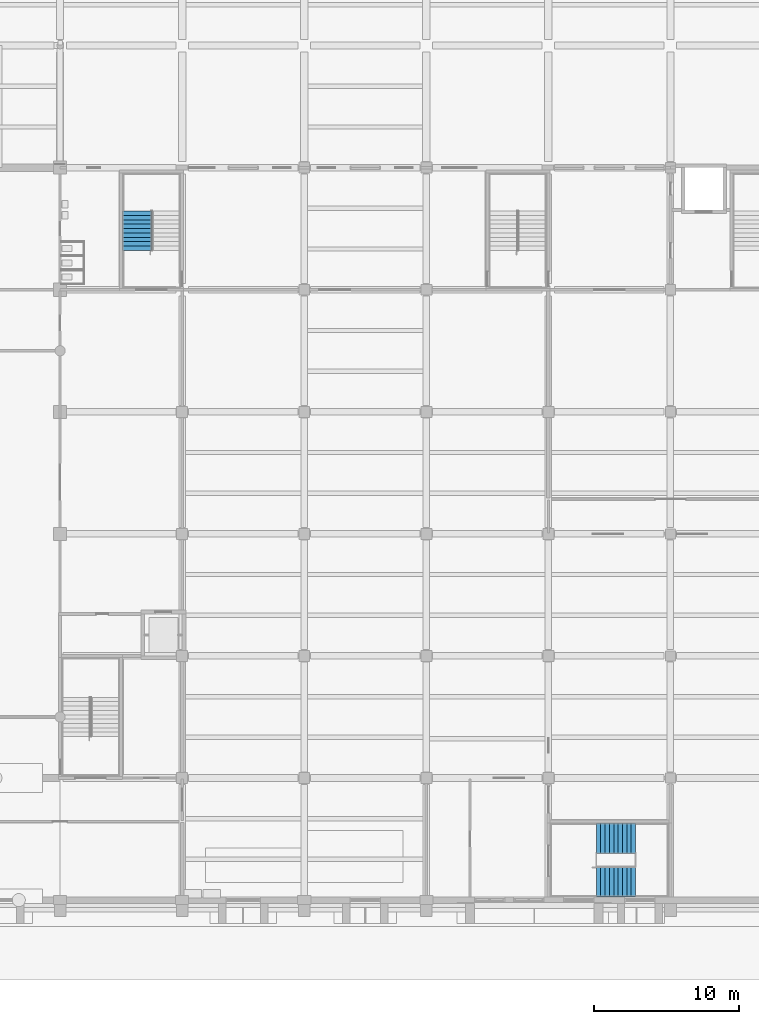
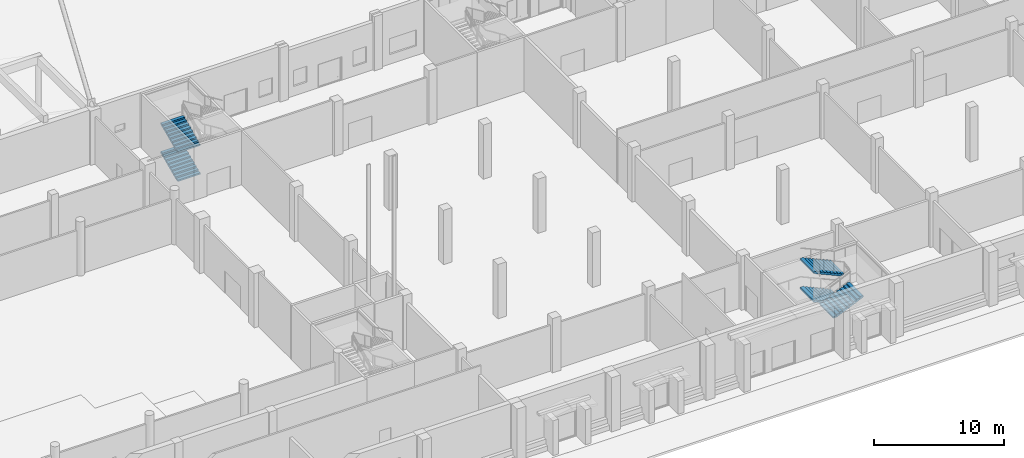
# One storey, part 54 of 74: 5 stair flights, 2 elements without a shape of their own.
"""IFC4 building model written with IfcOpenShell, lengths in metres."""

from ifc_helpers import new_model, si_unit, direction, frame, origin, place, context, subcontext, project, spatial, faceted_brep, material, type_object, element, aggregate, save


model = new_model("IFC4")

# Units and contexts
model_context = context("Model", 3, precision=1e-05, world=origin(), true_north=direction((0.0, 1.0)))
body_context = subcontext(model_context, "Body", "Model", "MODEL_VIEW")
ifc_project = project(units=[si_unit("LENGTHUNIT", "METRE"), si_unit("AREAUNIT", "SQUARE_METRE"), si_unit("VOLUMEUNIT", "CUBIC_METRE"), si_unit("PLANEANGLEUNIT", "RADIAN"), si_unit("MASSUNIT", "GRAM", prefix="KILO")], contexts=[model_context])

# Site, building, storey
site_placement = place(None, origin())
site = spatial("IfcSite", under=ifc_project, at=site_placement, CompositionType="ELEMENT")
building_placement = place(site_placement, origin())
building = spatial("IfcBuilding", under=site, at=building_placement, Name="Rulbaag Community and Learning Centre", CompositionType="ELEMENT")
storey_placement = place(building_placement, origin())
storey = spatial("IfcBuildingStorey", under=building, at=storey_placement, Name="L00", CompositionType="ELEMENT", Elevation=0.0)

# Stair, stair flights
ifc_material = material(Name="Concrete M40", Category="concrete")
stair_type_1 = type_object("IfcStairType", Name="ST-2000 STAIR 2000 WIDE", PredefinedType="HALF_TURN_STAIR", material=ifc_material)
stair_1_placement = place(storey_placement, origin())
stair_1 = element("IfcStair", 1, at=stair_1_placement, inside=storey, type_object=stair_type_1, Name="Stair ST-H6 L00", PredefinedType="HALF_TURN_STAIR")
stair_flight_type_1 = type_object("IfcStairFlightType", Name="FL-2000 FLIGHT 2000 WIDE Concrete M40", PredefinedType="STRAIGHT", material=ifc_material)
stair_flight_1_placement = place(storey_placement, frame((89.300048828125, 44.71240234375, 0.0), z_axis=(0.0, 0.0, 1.0), x_axis=(0.0, 1.0, 0.0)))
stair_flight_1 = element("IfcStairFlight", 2, at=stair_flight_1_placement, type_object=stair_flight_type_1, Name="ST-H6 flight 1", NumberOfRisers=10, NumberOfTreads=9, PredefinedType="STRAIGHT", RiserHeight=0.135, TreadLength=0.3, context=body_context, shape_type="Brep", body=[
    faceted_brep([(0.3408203125, -1.0, 0.0), (2.699951171875, -1.0, 1.0615234375), (2.699951171875, -1.0, 1.215087890625), (2.39990234375, -1.0, 1.215087890625), (2.39990234375, -1.0, 1.080078125), (2.10009765625, -1.0, 1.080078125), (2.10009765625, -1.0, 0.945068359375), (1.800048828125, -1.0, 0.945068359375), (1.800048828125, -1.0, 0.81005859375), (1.5, -1.0, 0.81005859375), (1.5, -1.0, 0.675048828125), (1.199951171875, -1.0, 0.675048828125), (1.199951171875, -1.0, 0.5400390625), (0.89990234375, -1.0, 0.5400390625), (0.89990234375, -1.0, 0.405029296875), (0.60009765625, -1.0, 0.405029296875), (0.60009765625, -1.0, 0.27001953125), (0.300048828125, -1.0, 0.27001953125), (0.300048828125, -1.0, 0.135009765625), (0.0, -1.0, 0.135009765625), (0.0, -1.0, 0.0), (0.0, 1.0, 0.0), (0.0, 1.0, 0.135009765625), (0.300048828125, 1.0, 0.135009765625), (0.300048828125, 1.0, 0.27001953125), (0.60009765625, 1.0, 0.27001953125), (0.60009765625, 1.0, 0.405029296875), (0.89990234375, 1.0, 0.405029296875), (0.89990234375, 1.0, 0.5400390625), (1.199951171875, 1.0, 0.5400390625), (1.199951171875, 1.0, 0.675048828125), (1.5, 1.0, 0.675048828125), (1.5, 1.0, 0.81005859375), (1.800048828125, 1.0, 0.81005859375), (1.800048828125, 1.0, 0.945068359375), (2.10009765625, 1.0, 0.945068359375), (2.10009765625, 1.0, 1.080078125), (2.39990234375, 1.0, 1.080078125), (2.39990234375, 1.0, 1.215087890625), (2.699951171875, 1.0, 1.215087890625), (2.699951171875, 1.0, 1.0615234375), (0.3408203125, 1.0, 0.0), (0.0, -0.333251953125, 0.135009765625), (0.0, -0.333251953125, 0.0), (0.0, 0.333251953125, 0.135009765625), (0.0, 0.333251953125, 0.0), (0.300048828125, -0.333251953125, 0.135009765625), (0.300048828125, 0.333251953125, 0.135009765625), (0.300048828125, -0.333251953125, 0.27001953125), (0.300048828125, 0.333251953125, 0.27001953125), (0.60009765625, -0.333251953125, 0.27001953125), (0.60009765625, 0.333251953125, 0.27001953125), (0.60009765625, -0.333251953125, 0.405029296875), (0.60009765625, 0.333251953125, 0.405029296875), (0.89990234375, -0.333251953125, 0.405029296875), (0.89990234375, 0.333251953125, 0.405029296875), (0.89990234375, -0.333251953125, 0.5400390625), (0.89990234375, 0.333251953125, 0.5400390625), (1.199951171875, -0.333251953125, 0.5400390625), (1.199951171875, 0.333251953125, 0.5400390625), (1.199951171875, -0.333251953125, 0.675048828125), (1.199951171875, 0.333251953125, 0.675048828125), (1.5, -0.333251953125, 0.675048828125), (1.5, 0.333251953125, 0.675048828125), (1.5, -0.333251953125, 0.81005859375), (1.5, 0.333251953125, 0.81005859375), (1.800048828125, -0.333251953125, 0.81005859375), (1.800048828125, 0.333251953125, 0.81005859375), (1.800048828125, -0.333251953125, 0.945068359375), (1.800048828125, 0.333251953125, 0.945068359375), (2.10009765625, -0.333251953125, 0.945068359375), (2.10009765625, 0.333251953125, 0.945068359375), (2.10009765625, -0.333251953125, 1.080078125), (2.10009765625, 0.333251953125, 1.080078125), (2.39990234375, -0.333251953125, 1.080078125), (2.39990234375, 0.333251953125, 1.080078125), (2.39990234375, -0.333251953125, 1.215087890625), (2.39990234375, 0.333251953125, 1.215087890625), (2.699951171875, -0.333251953125, 1.215087890625), (2.699951171875, 0.333251953125, 1.215087890625), (2.699951171875, -0.333251953125, 1.0615234375), (2.699951171875, 0.333251953125, 1.0615234375), (0.3408203125, -0.333251953125, 0.0), (0.3408203125, 0.333251953125, 0.0)], [[[0, 1, 2, 3, 4, 5, 6, 7, 8, 9, 10, 11, 12, 13, 14, 15, 16, 17, 18, 19, 20]], [[21, 22, 23, 24, 25, 26, 27, 28, 29, 30, 31, 32, 33, 34, 35, 36, 37, 38, 39, 40, 41]], [[20, 19, 42, 43]], [[43, 42, 44, 45]], [[45, 44, 22, 21]], [[19, 18, 46, 42]], [[42, 46, 47, 44]], [[44, 47, 23, 22]], [[18, 17, 48, 46]], [[46, 48, 49, 47]], [[47, 49, 24, 23]], [[17, 16, 50, 48]], [[48, 50, 51, 49]], [[49, 51, 25, 24]], [[16, 15, 52, 50]], [[50, 52, 53, 51]], [[51, 53, 26, 25]], [[15, 14, 54, 52]], [[52, 54, 55, 53]], [[53, 55, 27, 26]], [[14, 13, 56, 54]], [[54, 56, 57, 55]], [[55, 57, 28, 27]], [[13, 12, 58, 56]], [[56, 58, 59, 57]], [[57, 59, 29, 28]], [[12, 11, 60, 58]], [[58, 60, 61, 59]], [[59, 61, 30, 29]], [[11, 10, 62, 60]], [[60, 62, 63, 61]], [[61, 63, 31, 30]], [[10, 9, 64, 62]], [[62, 64, 65, 63]], [[63, 65, 32, 31]], [[9, 8, 66, 64]], [[64, 66, 67, 65]], [[65, 67, 33, 32]], [[8, 7, 68, 66]], [[66, 68, 69, 67]], [[67, 69, 34, 33]], [[7, 6, 70, 68]], [[68, 70, 71, 69]], [[69, 71, 35, 34]], [[6, 5, 72, 70]], [[70, 72, 73, 71]], [[71, 73, 36, 35]], [[5, 4, 74, 72]], [[72, 74, 75, 73]], [[73, 75, 37, 36]], [[4, 3, 76, 74]], [[74, 76, 77, 75]], [[75, 77, 38, 37]], [[3, 2, 78, 76]], [[76, 78, 79, 77]], [[77, 79, 39, 38]], [[2, 1, 80, 78]], [[78, 80, 81, 79]], [[79, 81, 40, 39]], [[1, 0, 82, 80]], [[80, 82, 83, 81]], [[81, 83, 41, 40]], [[0, 20, 43, 82]], [[82, 43, 45, 83]], [[83, 45, 21, 41]]]),
])
stair_flight_2_placement = place(storey_placement, frame((89.300048828125, 44.71240234375, 2.699951171875), z_axis=(0.0, 0.0, 1.0), x_axis=(0.0, 1.0, 0.0)))
stair_flight_2 = element("IfcStairFlight", 3, at=stair_flight_2_placement, type_object=stair_flight_type_1, Name="ST-H6 flight 3", NumberOfRisers=10, NumberOfTreads=9, PredefinedType="STRAIGHT", RiserHeight=0.135, TreadLength=0.3, context=body_context, shape_type="Brep", body=[
    faceted_brep([(0.3408203125, -1.0, 0.0), (2.699951171875, -1.0, 1.0615234375), (2.699951171875, -1.0, 1.215087890625), (2.39990234375, -1.0, 1.215087890625), (2.39990234375, -1.0, 1.080078125), (2.10009765625, -1.0, 1.080078125), (2.10009765625, -1.0, 0.945068359375), (1.800048828125, -1.0, 0.945068359375), (1.800048828125, -1.0, 0.81005859375), (1.5, -1.0, 0.81005859375), (1.5, -1.0, 0.675048828125), (1.199951171875, -1.0, 0.675048828125), (1.199951171875, -1.0, 0.5400390625), (0.89990234375, -1.0, 0.5400390625), (0.89990234375, -1.0, 0.405029296875), (0.60009765625, -1.0, 0.405029296875), (0.60009765625, -1.0, 0.27001953125), (0.300048828125, -1.0, 0.27001953125), (0.300048828125, -1.0, 0.135009765625), (0.0, -1.0, 0.135009765625), (0.0, -1.0, 0.0), (0.0, 1.0, 0.0), (0.0, 1.0, 0.135009765625), (0.300048828125, 1.0, 0.135009765625), (0.300048828125, 1.0, 0.27001953125), (0.60009765625, 1.0, 0.27001953125), (0.60009765625, 1.0, 0.405029296875), (0.89990234375, 1.0, 0.405029296875), (0.89990234375, 1.0, 0.5400390625), (1.199951171875, 1.0, 0.5400390625), (1.199951171875, 1.0, 0.675048828125), (1.5, 1.0, 0.675048828125), (1.5, 1.0, 0.81005859375), (1.800048828125, 1.0, 0.81005859375), (1.800048828125, 1.0, 0.945068359375), (2.10009765625, 1.0, 0.945068359375), (2.10009765625, 1.0, 1.080078125), (2.39990234375, 1.0, 1.080078125), (2.39990234375, 1.0, 1.215087890625), (2.699951171875, 1.0, 1.215087890625), (2.699951171875, 1.0, 1.0615234375), (0.3408203125, 1.0, 0.0), (0.0, -0.333251953125, 0.135009765625), (0.0, -0.333251953125, 0.0), (0.0, 0.333251953125, 0.135009765625), (0.0, 0.333251953125, 0.0), (0.300048828125, -0.333251953125, 0.135009765625), (0.300048828125, 0.333251953125, 0.135009765625), (0.300048828125, -0.333251953125, 0.27001953125), (0.300048828125, 0.333251953125, 0.27001953125), (0.60009765625, -0.333251953125, 0.27001953125), (0.60009765625, 0.333251953125, 0.27001953125), (0.60009765625, -0.333251953125, 0.405029296875), (0.60009765625, 0.333251953125, 0.405029296875), (0.89990234375, -0.333251953125, 0.405029296875), (0.89990234375, 0.333251953125, 0.405029296875), (0.89990234375, -0.333251953125, 0.5400390625), (0.89990234375, 0.333251953125, 0.5400390625), (1.199951171875, -0.333251953125, 0.5400390625), (1.199951171875, 0.333251953125, 0.5400390625), (1.199951171875, -0.333251953125, 0.675048828125), (1.199951171875, 0.333251953125, 0.675048828125), (1.5, -0.333251953125, 0.675048828125), (1.5, 0.333251953125, 0.675048828125), (1.5, -0.333251953125, 0.81005859375), (1.5, 0.333251953125, 0.81005859375), (1.800048828125, -0.333251953125, 0.81005859375), (1.800048828125, 0.333251953125, 0.81005859375), (1.800048828125, -0.333251953125, 0.945068359375), (1.800048828125, 0.333251953125, 0.945068359375), (2.10009765625, -0.333251953125, 0.945068359375), (2.10009765625, 0.333251953125, 0.945068359375), (2.10009765625, -0.333251953125, 1.080078125), (2.10009765625, 0.333251953125, 1.080078125), (2.39990234375, -0.333251953125, 1.080078125), (2.39990234375, 0.333251953125, 1.080078125), (2.39990234375, -0.333251953125, 1.215087890625), (2.39990234375, 0.333251953125, 1.215087890625), (2.699951171875, -0.333251953125, 1.215087890625), (2.699951171875, 0.333251953125, 1.215087890625), (2.699951171875, -0.333251953125, 1.0615234375), (2.699951171875, 0.333251953125, 1.0615234375), (0.3408203125, -0.333251953125, 0.0), (0.3408203125, 0.333251953125, 0.0)], [[[0, 1, 2, 3, 4, 5, 6, 7, 8, 9, 10, 11, 12, 13, 14, 15, 16, 17, 18, 19, 20]], [[21, 22, 23, 24, 25, 26, 27, 28, 29, 30, 31, 32, 33, 34, 35, 36, 37, 38, 39, 40, 41]], [[20, 19, 42, 43]], [[43, 42, 44, 45]], [[45, 44, 22, 21]], [[19, 18, 46, 42]], [[42, 46, 47, 44]], [[44, 47, 23, 22]], [[18, 17, 48, 46]], [[46, 48, 49, 47]], [[47, 49, 24, 23]], [[17, 16, 50, 48]], [[48, 50, 51, 49]], [[49, 51, 25, 24]], [[16, 15, 52, 50]], [[50, 52, 53, 51]], [[51, 53, 26, 25]], [[15, 14, 54, 52]], [[52, 54, 55, 53]], [[53, 55, 27, 26]], [[14, 13, 56, 54]], [[54, 56, 57, 55]], [[55, 57, 28, 27]], [[13, 12, 58, 56]], [[56, 58, 59, 57]], [[57, 59, 29, 28]], [[12, 11, 60, 58]], [[58, 60, 61, 59]], [[59, 61, 30, 29]], [[11, 10, 62, 60]], [[60, 62, 63, 61]], [[61, 63, 31, 30]], [[10, 9, 64, 62]], [[62, 64, 65, 63]], [[63, 65, 32, 31]], [[9, 8, 66, 64]], [[64, 66, 67, 65]], [[65, 67, 33, 32]], [[8, 7, 68, 66]], [[66, 68, 69, 67]], [[67, 69, 34, 33]], [[7, 6, 70, 68]], [[68, 70, 71, 69]], [[69, 71, 35, 34]], [[6, 5, 72, 70]], [[70, 72, 73, 71]], [[71, 73, 36, 35]], [[5, 4, 74, 72]], [[72, 74, 75, 73]], [[73, 75, 37, 36]], [[4, 3, 76, 74]], [[74, 76, 77, 75]], [[75, 77, 38, 37]], [[3, 2, 78, 76]], [[76, 78, 79, 77]], [[77, 79, 39, 38]], [[2, 1, 80, 78]], [[78, 80, 81, 79]], [[79, 81, 40, 39]], [[1, 0, 82, 80]], [[80, 82, 83, 81]], [[81, 83, 41, 40]], [[0, 20, 43, 82]], [[82, 43, 45, 83]], [[83, 45, 21, 41]]]),
])
aggregate(stair_1, [stair_flight_1, stair_flight_2])

stair_type_2 = type_object("IfcStairType", Name="ST-2100 STAIR 2100 WIDE", PredefinedType="HALF_TURN_STAIR", material=ifc_material)
stair_2_placement = place(storey_placement, origin())
stair_2 = element("IfcStair", 4, at=stair_2_placement, inside=storey, type_object=stair_type_2, Name="Stair ST-H11 L00", PredefinedType="HALF_TURN_STAIR")
stair_flight_type_2 = type_object("IfcStairFlightType", Name="FL-2100 FLIGHT 2100 WIDE Concrete M40", PredefinedType="STRAIGHT", material=ifc_material)
stair_flight_3_placement = place(storey_placement, frame((123.60009765625, 4.25, 1.35009765625), z_axis=(0.0, 0.0, 1.0), x_axis=(-1.0, 0.0, 0.0)))
stair_flight_3 = element("IfcStairFlight", 5, at=stair_flight_3_placement, type_object=stair_flight_type_2, Name="ST-H11 flight 2", NumberOfRisers=10, NumberOfTreads=9, PredefinedType="STRAIGHT", RiserHeight=0.135, TreadLength=0.3, context=body_context, shape_type="Brep", body=[
    faceted_brep([(0.3408203125, -1.050048828125, 0.0), (2.699951171875, -1.050048828125, 1.0615234375), (2.699951171875, -1.050048828125, 1.215087890625), (2.39990234375, -1.050048828125, 1.215087890625), (2.39990234375, -1.050048828125, 1.080078125), (2.10009765625, -1.050048828125, 1.080078125), (2.10009765625, -1.050048828125, 0.945068359375), (1.800048828125, -1.050048828125, 0.945068359375), (1.800048828125, -1.050048828125, 0.81005859375), (1.5, -1.050048828125, 0.81005859375), (1.5, -1.050048828125, 0.675048828125), (1.199951171875, -1.050048828125, 0.675048828125), (1.199951171875, -1.050048828125, 0.5400390625), (0.89990234375, -1.050048828125, 0.5400390625), (0.89990234375, -1.050048828125, 0.405029296875), (0.60009765625, -1.050048828125, 0.405029296875), (0.60009765625, -1.050048828125, 0.27001953125), (0.300048828125, -1.050048828125, 0.27001953125), (0.300048828125, -1.050048828125, 0.135009765625), (0.0, -1.050048828125, 0.135009765625), (0.0, -1.050048828125, 0.0), (0.0, 1.050048828125, 0.0), (0.0, 1.050048828125, 0.135009765625), (0.300048828125, 1.050048828125, 0.135009765625), (0.300048828125, 1.050048828125, 0.27001953125), (0.60009765625, 1.050048828125, 0.27001953125), (0.60009765625, 1.050048828125, 0.405029296875), (0.89990234375, 1.050048828125, 0.405029296875), (0.89990234375, 1.050048828125, 0.5400390625), (1.199951171875, 1.050048828125, 0.5400390625), (1.199951171875, 1.050048828125, 0.675048828125), (1.5, 1.050048828125, 0.675048828125), (1.5, 1.050048828125, 0.81005859375), (1.800048828125, 1.050048828125, 0.81005859375), (1.800048828125, 1.050048828125, 0.945068359375), (2.10009765625, 1.050048828125, 0.945068359375), (2.10009765625, 1.050048828125, 1.080078125), (2.39990234375, 1.050048828125, 1.080078125), (2.39990234375, 1.050048828125, 1.215087890625), (2.699951171875, 1.050048828125, 1.215087890625), (2.699951171875, 1.050048828125, 1.0615234375), (0.3408203125, 1.050048828125, 0.0), (0.0, -0.52490234375, 0.135009765625), (0.0, -0.52490234375, 0.0), (0.0, 0.0, 0.135009765625), (0.0, 0.0, 0.0), (0.0, 0.52490234375, 0.135009765625), (0.0, 0.52490234375, 0.0), (0.300048828125, -0.52490234375, 0.135009765625), (0.300048828125, 0.0, 0.135009765625), (0.300048828125, 0.52490234375, 0.135009765625), (0.300048828125, -0.52490234375, 0.27001953125), (0.300048828125, 0.0, 0.27001953125), (0.300048828125, 0.52490234375, 0.27001953125), (0.60009765625, -0.52490234375, 0.27001953125), (0.60009765625, 0.0, 0.27001953125), (0.60009765625, 0.52490234375, 0.27001953125), (0.60009765625, -0.52490234375, 0.405029296875), (0.60009765625, 0.0, 0.405029296875), (0.60009765625, 0.52490234375, 0.405029296875), (0.89990234375, -0.52490234375, 0.405029296875), (0.89990234375, 0.0, 0.405029296875), (0.89990234375, 0.52490234375, 0.405029296875), (0.89990234375, -0.52490234375, 0.5400390625), (0.89990234375, 0.0, 0.5400390625), (0.89990234375, 0.52490234375, 0.5400390625), (1.199951171875, -0.52490234375, 0.5400390625), (1.199951171875, 0.0, 0.5400390625), (1.199951171875, 0.52490234375, 0.5400390625), (1.199951171875, -0.52490234375, 0.675048828125), (1.199951171875, 0.0, 0.675048828125), (1.199951171875, 0.52490234375, 0.675048828125), (1.5, -0.52490234375, 0.675048828125), (1.5, 0.0, 0.675048828125), (1.5, 0.52490234375, 0.675048828125), (1.5, -0.52490234375, 0.81005859375), (1.5, 0.0, 0.81005859375), (1.5, 0.52490234375, 0.81005859375), (1.800048828125, -0.52490234375, 0.81005859375), (1.800048828125, 0.0, 0.81005859375), (1.800048828125, 0.52490234375, 0.81005859375), (1.800048828125, -0.52490234375, 0.945068359375), (1.800048828125, 0.0, 0.945068359375), (1.800048828125, 0.52490234375, 0.945068359375), (2.10009765625, -0.52490234375, 0.945068359375), (2.10009765625, 0.0, 0.945068359375), (2.10009765625, 0.52490234375, 0.945068359375), (2.10009765625, -0.52490234375, 1.080078125), (2.10009765625, 0.0, 1.080078125), (2.10009765625, 0.52490234375, 1.080078125), (2.39990234375, -0.52490234375, 1.080078125), (2.39990234375, 0.0, 1.080078125), (2.39990234375, 0.52490234375, 1.080078125), (2.39990234375, -0.52490234375, 1.215087890625), (2.39990234375, 0.0, 1.215087890625), (2.39990234375, 0.52490234375, 1.215087890625), (2.699951171875, -0.52490234375, 1.215087890625), (2.699951171875, 0.0, 1.215087890625), (2.699951171875, 0.52490234375, 1.215087890625), (2.699951171875, -0.52490234375, 1.0615234375), (2.699951171875, 0.0, 1.0615234375), (2.699951171875, 0.52490234375, 1.0615234375), (0.3408203125, -0.52490234375, 0.0), (0.3408203125, 0.0, 0.0), (0.3408203125, 0.52490234375, 0.0)], [[[0, 1, 2, 3, 4, 5, 6, 7, 8, 9, 10, 11, 12, 13, 14, 15, 16, 17, 18, 19, 20]], [[21, 22, 23, 24, 25, 26, 27, 28, 29, 30, 31, 32, 33, 34, 35, 36, 37, 38, 39, 40, 41]], [[20, 19, 42, 43]], [[43, 42, 44, 45]], [[45, 44, 46, 47]], [[47, 46, 22, 21]], [[19, 18, 48, 42]], [[42, 48, 49, 44]], [[44, 49, 50, 46]], [[46, 50, 23, 22]], [[18, 17, 51, 48]], [[48, 51, 52, 49]], [[49, 52, 53, 50]], [[50, 53, 24, 23]], [[17, 16, 54, 51]], [[51, 54, 55, 52]], [[52, 55, 56, 53]], [[53, 56, 25, 24]], [[16, 15, 57, 54]], [[54, 57, 58, 55]], [[55, 58, 59, 56]], [[56, 59, 26, 25]], [[15, 14, 60, 57]], [[57, 60, 61, 58]], [[58, 61, 62, 59]], [[59, 62, 27, 26]], [[14, 13, 63, 60]], [[60, 63, 64, 61]], [[61, 64, 65, 62]], [[62, 65, 28, 27]], [[13, 12, 66, 63]], [[63, 66, 67, 64]], [[64, 67, 68, 65]], [[65, 68, 29, 28]], [[12, 11, 69, 66]], [[66, 69, 70, 67]], [[67, 70, 71, 68]], [[68, 71, 30, 29]], [[11, 10, 72, 69]], [[69, 72, 73, 70]], [[70, 73, 74, 71]], [[71, 74, 31, 30]], [[10, 9, 75, 72]], [[72, 75, 76, 73]], [[73, 76, 77, 74]], [[74, 77, 32, 31]], [[9, 8, 78, 75]], [[75, 78, 79, 76]], [[76, 79, 80, 77]], [[77, 80, 33, 32]], [[8, 7, 81, 78]], [[78, 81, 82, 79]], [[79, 82, 83, 80]], [[80, 83, 34, 33]], [[7, 6, 84, 81]], [[81, 84, 85, 82]], [[82, 85, 86, 83]], [[83, 86, 35, 34]], [[6, 5, 87, 84]], [[84, 87, 88, 85]], [[85, 88, 89, 86]], [[86, 89, 36, 35]], [[5, 4, 90, 87]], [[87, 90, 91, 88]], [[88, 91, 92, 89]], [[89, 92, 37, 36]], [[4, 3, 93, 90]], [[90, 93, 94, 91]], [[91, 94, 95, 92]], [[92, 95, 38, 37]], [[3, 2, 96, 93]], [[93, 96, 97, 94]], [[94, 97, 98, 95]], [[95, 98, 39, 38]], [[2, 1, 99, 96]], [[96, 99, 100, 97]], [[97, 100, 101, 98]], [[98, 101, 40, 39]], [[1, 0, 102, 99]], [[99, 102, 103, 100]], [[100, 103, 104, 101]], [[101, 104, 41, 40]], [[0, 20, 43, 102]], [[102, 43, 45, 103]], [[103, 45, 47, 104]], [[104, 47, 21, 41]]]),
])
stair_flight_4_placement = place(storey_placement, frame((120.89990234375, 1.27490234375, 2.699951171875), z_axis=(0.0, 0.0, 1.0), x_axis=(1.0, 0.0, 0.0)))
stair_flight_4 = element("IfcStairFlight", 6, at=stair_flight_4_placement, type_object=stair_flight_type_2, Name="ST-H11 flight 3", NumberOfRisers=10, NumberOfTreads=9, PredefinedType="STRAIGHT", RiserHeight=0.135, TreadLength=0.3, context=body_context, shape_type="Brep", body=[
    faceted_brep([(0.3408203125, -1.050048828125, 0.0), (2.699951171875, -1.050048828125, 1.0615234375), (2.699951171875, -1.050048828125, 1.215087890625), (2.39990234375, -1.050048828125, 1.215087890625), (2.39990234375, -1.050048828125, 1.080078125), (2.10009765625, -1.050048828125, 1.080078125), (2.10009765625, -1.050048828125, 0.945068359375), (1.800048828125, -1.050048828125, 0.945068359375), (1.800048828125, -1.050048828125, 0.81005859375), (1.5, -1.050048828125, 0.81005859375), (1.5, -1.050048828125, 0.675048828125), (1.199951171875, -1.050048828125, 0.675048828125), (1.199951171875, -1.050048828125, 0.5400390625), (0.89990234375, -1.050048828125, 0.5400390625), (0.89990234375, -1.050048828125, 0.405029296875), (0.60009765625, -1.050048828125, 0.405029296875), (0.60009765625, -1.050048828125, 0.27001953125), (0.300048828125, -1.050048828125, 0.27001953125), (0.300048828125, -1.050048828125, 0.135009765625), (0.0, -1.050048828125, 0.135009765625), (0.0, -1.050048828125, 0.0), (0.0, 1.050048828125, 0.0), (0.0, 1.050048828125, 0.135009765625), (0.300048828125, 1.050048828125, 0.135009765625), (0.300048828125, 1.050048828125, 0.27001953125), (0.60009765625, 1.050048828125, 0.27001953125), (0.60009765625, 1.050048828125, 0.405029296875), (0.89990234375, 1.050048828125, 0.405029296875), (0.89990234375, 1.050048828125, 0.5400390625), (1.199951171875, 1.050048828125, 0.5400390625), (1.199951171875, 1.050048828125, 0.675048828125), (1.5, 1.050048828125, 0.675048828125), (1.5, 1.050048828125, 0.81005859375), (1.800048828125, 1.050048828125, 0.81005859375), (1.800048828125, 1.050048828125, 0.945068359375), (2.10009765625, 1.050048828125, 0.945068359375), (2.10009765625, 1.050048828125, 1.080078125), (2.39990234375, 1.050048828125, 1.080078125), (2.39990234375, 1.050048828125, 1.215087890625), (2.699951171875, 1.050048828125, 1.215087890625), (2.699951171875, 1.050048828125, 1.0615234375), (0.3408203125, 1.050048828125, 0.0), (0.0, -0.52490234375, 0.135009765625), (0.0, -0.52490234375, 0.0), (0.0, 0.0, 0.135009765625), (0.0, 0.0, 0.0), (0.0, 0.52490234375, 0.135009765625), (0.0, 0.52490234375, 0.0), (0.300048828125, -0.52490234375, 0.135009765625), (0.300048828125, 0.0, 0.135009765625), (0.300048828125, 0.52490234375, 0.135009765625), (0.300048828125, -0.52490234375, 0.27001953125), (0.300048828125, 0.0, 0.27001953125), (0.300048828125, 0.52490234375, 0.27001953125), (0.60009765625, -0.52490234375, 0.27001953125), (0.60009765625, 0.0, 0.27001953125), (0.60009765625, 0.52490234375, 0.27001953125), (0.60009765625, -0.52490234375, 0.405029296875), (0.60009765625, 0.0, 0.405029296875), (0.60009765625, 0.52490234375, 0.405029296875), (0.89990234375, -0.52490234375, 0.405029296875), (0.89990234375, 0.0, 0.405029296875), (0.89990234375, 0.52490234375, 0.405029296875), (0.89990234375, -0.52490234375, 0.5400390625), (0.89990234375, 0.0, 0.5400390625), (0.89990234375, 0.52490234375, 0.5400390625), (1.199951171875, -0.52490234375, 0.5400390625), (1.199951171875, 0.0, 0.5400390625), (1.199951171875, 0.52490234375, 0.5400390625), (1.199951171875, -0.52490234375, 0.675048828125), (1.199951171875, 0.0, 0.675048828125), (1.199951171875, 0.52490234375, 0.675048828125), (1.5, -0.52490234375, 0.675048828125), (1.5, 0.0, 0.675048828125), (1.5, 0.52490234375, 0.675048828125), (1.5, -0.52490234375, 0.81005859375), (1.5, 0.0, 0.81005859375), (1.5, 0.52490234375, 0.81005859375), (1.800048828125, -0.52490234375, 0.81005859375), (1.800048828125, 0.0, 0.81005859375), (1.800048828125, 0.52490234375, 0.81005859375), (1.800048828125, -0.52490234375, 0.945068359375), (1.800048828125, 0.0, 0.945068359375), (1.800048828125, 0.52490234375, 0.945068359375), (2.10009765625, -0.52490234375, 0.945068359375), (2.10009765625, 0.0, 0.945068359375), (2.10009765625, 0.52490234375, 0.945068359375), (2.10009765625, -0.52490234375, 1.080078125), (2.10009765625, 0.0, 1.080078125), (2.10009765625, 0.52490234375, 1.080078125), (2.39990234375, -0.52490234375, 1.080078125), (2.39990234375, 0.0, 1.080078125), (2.39990234375, 0.52490234375, 1.080078125), (2.39990234375, -0.52490234375, 1.215087890625), (2.39990234375, 0.0, 1.215087890625), (2.39990234375, 0.52490234375, 1.215087890625), (2.699951171875, -0.52490234375, 1.215087890625), (2.699951171875, 0.0, 1.215087890625), (2.699951171875, 0.52490234375, 1.215087890625), (2.699951171875, -0.52490234375, 1.0615234375), (2.699951171875, 0.0, 1.0615234375), (2.699951171875, 0.52490234375, 1.0615234375), (0.3408203125, -0.52490234375, 0.0), (0.3408203125, 0.0, 0.0), (0.3408203125, 0.52490234375, 0.0)], [[[0, 1, 2, 3, 4, 5, 6, 7, 8, 9, 10, 11, 12, 13, 14, 15, 16, 17, 18, 19, 20]], [[21, 22, 23, 24, 25, 26, 27, 28, 29, 30, 31, 32, 33, 34, 35, 36, 37, 38, 39, 40, 41]], [[20, 19, 42, 43]], [[43, 42, 44, 45]], [[45, 44, 46, 47]], [[47, 46, 22, 21]], [[19, 18, 48, 42]], [[42, 48, 49, 44]], [[44, 49, 50, 46]], [[46, 50, 23, 22]], [[18, 17, 51, 48]], [[48, 51, 52, 49]], [[49, 52, 53, 50]], [[50, 53, 24, 23]], [[17, 16, 54, 51]], [[51, 54, 55, 52]], [[52, 55, 56, 53]], [[53, 56, 25, 24]], [[16, 15, 57, 54]], [[54, 57, 58, 55]], [[55, 58, 59, 56]], [[56, 59, 26, 25]], [[15, 14, 60, 57]], [[57, 60, 61, 58]], [[58, 61, 62, 59]], [[59, 62, 27, 26]], [[14, 13, 63, 60]], [[60, 63, 64, 61]], [[61, 64, 65, 62]], [[62, 65, 28, 27]], [[13, 12, 66, 63]], [[63, 66, 67, 64]], [[64, 67, 68, 65]], [[65, 68, 29, 28]], [[12, 11, 69, 66]], [[66, 69, 70, 67]], [[67, 70, 71, 68]], [[68, 71, 30, 29]], [[11, 10, 72, 69]], [[69, 72, 73, 70]], [[70, 73, 74, 71]], [[71, 74, 31, 30]], [[10, 9, 75, 72]], [[72, 75, 76, 73]], [[73, 76, 77, 74]], [[74, 77, 32, 31]], [[9, 8, 78, 75]], [[75, 78, 79, 76]], [[76, 79, 80, 77]], [[77, 80, 33, 32]], [[8, 7, 81, 78]], [[78, 81, 82, 79]], [[79, 82, 83, 80]], [[80, 83, 34, 33]], [[7, 6, 84, 81]], [[81, 84, 85, 82]], [[82, 85, 86, 83]], [[83, 86, 35, 34]], [[6, 5, 87, 84]], [[84, 87, 88, 85]], [[85, 88, 89, 86]], [[86, 89, 36, 35]], [[5, 4, 90, 87]], [[87, 90, 91, 88]], [[88, 91, 92, 89]], [[89, 92, 37, 36]], [[4, 3, 93, 90]], [[90, 93, 94, 91]], [[91, 94, 95, 92]], [[92, 95, 38, 37]], [[3, 2, 96, 93]], [[93, 96, 97, 94]], [[94, 97, 98, 95]], [[95, 98, 39, 38]], [[2, 1, 99, 96]], [[96, 99, 100, 97]], [[97, 100, 101, 98]], [[98, 101, 40, 39]], [[1, 0, 102, 99]], [[99, 102, 103, 100]], [[100, 103, 104, 101]], [[101, 104, 41, 40]], [[0, 20, 43, 102]], [[102, 43, 45, 103]], [[103, 45, 47, 104]], [[104, 47, 21, 41]]]),
])
stair_flight_5_placement = place(storey_placement, frame((123.60009765625, 4.25, 4.050048828125), z_axis=(0.0, 0.0, 1.0), x_axis=(-1.0, 0.0, 0.0)))
stair_flight_5 = element("IfcStairFlight", 7, at=stair_flight_5_placement, type_object=stair_flight_type_2, Name="ST-H11 flight 4", NumberOfRisers=10, NumberOfTreads=9, PredefinedType="STRAIGHT", RiserHeight=0.135, TreadLength=0.3, context=body_context, shape_type="Brep", body=[
    faceted_brep([(0.3408203125, -1.050048828125, 0.0), (2.699951171875, -1.050048828125, 1.0615234375), (2.699951171875, -1.050048828125, 1.215087890625), (2.39990234375, -1.050048828125, 1.215087890625), (2.39990234375, -1.050048828125, 1.080078125), (2.10009765625, -1.050048828125, 1.080078125), (2.10009765625, -1.050048828125, 0.945068359375), (1.800048828125, -1.050048828125, 0.945068359375), (1.800048828125, -1.050048828125, 0.81005859375), (1.5, -1.050048828125, 0.81005859375), (1.5, -1.050048828125, 0.675048828125), (1.199951171875, -1.050048828125, 0.675048828125), (1.199951171875, -1.050048828125, 0.5400390625), (0.89990234375, -1.050048828125, 0.5400390625), (0.89990234375, -1.050048828125, 0.405029296875), (0.60009765625, -1.050048828125, 0.405029296875), (0.60009765625, -1.050048828125, 0.27001953125), (0.300048828125, -1.050048828125, 0.27001953125), (0.300048828125, -1.050048828125, 0.135009765625), (0.0, -1.050048828125, 0.135009765625), (0.0, -1.050048828125, 0.0), (0.0, 1.050048828125, 0.0), (0.0, 1.050048828125, 0.135009765625), (0.300048828125, 1.050048828125, 0.135009765625), (0.300048828125, 1.050048828125, 0.27001953125), (0.60009765625, 1.050048828125, 0.27001953125), (0.60009765625, 1.050048828125, 0.405029296875), (0.89990234375, 1.050048828125, 0.405029296875), (0.89990234375, 1.050048828125, 0.5400390625), (1.199951171875, 1.050048828125, 0.5400390625), (1.199951171875, 1.050048828125, 0.675048828125), (1.5, 1.050048828125, 0.675048828125), (1.5, 1.050048828125, 0.81005859375), (1.800048828125, 1.050048828125, 0.81005859375), (1.800048828125, 1.050048828125, 0.945068359375), (2.10009765625, 1.050048828125, 0.945068359375), (2.10009765625, 1.050048828125, 1.080078125), (2.39990234375, 1.050048828125, 1.080078125), (2.39990234375, 1.050048828125, 1.215087890625), (2.699951171875, 1.050048828125, 1.215087890625), (2.699951171875, 1.050048828125, 1.0615234375), (0.3408203125, 1.050048828125, 0.0), (0.0, -0.52490234375, 0.135009765625), (0.0, -0.52490234375, 0.0), (0.0, 0.0, 0.135009765625), (0.0, 0.0, 0.0), (0.0, 0.52490234375, 0.135009765625), (0.0, 0.52490234375, 0.0), (0.300048828125, -0.52490234375, 0.135009765625), (0.300048828125, 0.0, 0.135009765625), (0.300048828125, 0.52490234375, 0.135009765625), (0.300048828125, -0.52490234375, 0.27001953125), (0.300048828125, 0.0, 0.27001953125), (0.300048828125, 0.52490234375, 0.27001953125), (0.60009765625, -0.52490234375, 0.27001953125), (0.60009765625, 0.0, 0.27001953125), (0.60009765625, 0.52490234375, 0.27001953125), (0.60009765625, -0.52490234375, 0.405029296875), (0.60009765625, 0.0, 0.405029296875), (0.60009765625, 0.52490234375, 0.405029296875), (0.89990234375, -0.52490234375, 0.405029296875), (0.89990234375, 0.0, 0.405029296875), (0.89990234375, 0.52490234375, 0.405029296875), (0.89990234375, -0.52490234375, 0.5400390625), (0.89990234375, 0.0, 0.5400390625), (0.89990234375, 0.52490234375, 0.5400390625), (1.199951171875, -0.52490234375, 0.5400390625), (1.199951171875, 0.0, 0.5400390625), (1.199951171875, 0.52490234375, 0.5400390625), (1.199951171875, -0.52490234375, 0.675048828125), (1.199951171875, 0.0, 0.675048828125), (1.199951171875, 0.52490234375, 0.675048828125), (1.5, -0.52490234375, 0.675048828125), (1.5, 0.0, 0.675048828125), (1.5, 0.52490234375, 0.675048828125), (1.5, -0.52490234375, 0.81005859375), (1.5, 0.0, 0.81005859375), (1.5, 0.52490234375, 0.81005859375), (1.800048828125, -0.52490234375, 0.81005859375), (1.800048828125, 0.0, 0.81005859375), (1.800048828125, 0.52490234375, 0.81005859375), (1.800048828125, -0.52490234375, 0.945068359375), (1.800048828125, 0.0, 0.945068359375), (1.800048828125, 0.52490234375, 0.945068359375), (2.10009765625, -0.52490234375, 0.945068359375), (2.10009765625, 0.0, 0.945068359375), (2.10009765625, 0.52490234375, 0.945068359375), (2.10009765625, -0.52490234375, 1.080078125), (2.10009765625, 0.0, 1.080078125), (2.10009765625, 0.52490234375, 1.080078125), (2.39990234375, -0.52490234375, 1.080078125), (2.39990234375, 0.0, 1.080078125), (2.39990234375, 0.52490234375, 1.080078125), (2.39990234375, -0.52490234375, 1.215087890625), (2.39990234375, 0.0, 1.215087890625), (2.39990234375, 0.52490234375, 1.215087890625), (2.699951171875, -0.52490234375, 1.215087890625), (2.699951171875, 0.0, 1.215087890625), (2.699951171875, 0.52490234375, 1.215087890625), (2.699951171875, -0.52490234375, 1.0615234375), (2.699951171875, 0.0, 1.0615234375), (2.699951171875, 0.52490234375, 1.0615234375), (0.3408203125, -0.52490234375, 0.0), (0.3408203125, 0.0, 0.0), (0.3408203125, 0.52490234375, 0.0)], [[[0, 1, 2, 3, 4, 5, 6, 7, 8, 9, 10, 11, 12, 13, 14, 15, 16, 17, 18, 19, 20]], [[21, 22, 23, 24, 25, 26, 27, 28, 29, 30, 31, 32, 33, 34, 35, 36, 37, 38, 39, 40, 41]], [[20, 19, 42, 43]], [[43, 42, 44, 45]], [[45, 44, 46, 47]], [[47, 46, 22, 21]], [[19, 18, 48, 42]], [[42, 48, 49, 44]], [[44, 49, 50, 46]], [[46, 50, 23, 22]], [[18, 17, 51, 48]], [[48, 51, 52, 49]], [[49, 52, 53, 50]], [[50, 53, 24, 23]], [[17, 16, 54, 51]], [[51, 54, 55, 52]], [[52, 55, 56, 53]], [[53, 56, 25, 24]], [[16, 15, 57, 54]], [[54, 57, 58, 55]], [[55, 58, 59, 56]], [[56, 59, 26, 25]], [[15, 14, 60, 57]], [[57, 60, 61, 58]], [[58, 61, 62, 59]], [[59, 62, 27, 26]], [[14, 13, 63, 60]], [[60, 63, 64, 61]], [[61, 64, 65, 62]], [[62, 65, 28, 27]], [[13, 12, 66, 63]], [[63, 66, 67, 64]], [[64, 67, 68, 65]], [[65, 68, 29, 28]], [[12, 11, 69, 66]], [[66, 69, 70, 67]], [[67, 70, 71, 68]], [[68, 71, 30, 29]], [[11, 10, 72, 69]], [[69, 72, 73, 70]], [[70, 73, 74, 71]], [[71, 74, 31, 30]], [[10, 9, 75, 72]], [[72, 75, 76, 73]], [[73, 76, 77, 74]], [[74, 77, 32, 31]], [[9, 8, 78, 75]], [[75, 78, 79, 76]], [[76, 79, 80, 77]], [[77, 80, 33, 32]], [[8, 7, 81, 78]], [[78, 81, 82, 79]], [[79, 82, 83, 80]], [[80, 83, 34, 33]], [[7, 6, 84, 81]], [[81, 84, 85, 82]], [[82, 85, 86, 83]], [[83, 86, 35, 34]], [[6, 5, 87, 84]], [[84, 87, 88, 85]], [[85, 88, 89, 86]], [[86, 89, 36, 35]], [[5, 4, 90, 87]], [[87, 90, 91, 88]], [[88, 91, 92, 89]], [[89, 92, 37, 36]], [[4, 3, 93, 90]], [[90, 93, 94, 91]], [[91, 94, 95, 92]], [[92, 95, 38, 37]], [[3, 2, 96, 93]], [[93, 96, 97, 94]], [[94, 97, 98, 95]], [[95, 98, 39, 38]], [[2, 1, 99, 96]], [[96, 99, 100, 97]], [[97, 100, 101, 98]], [[98, 101, 40, 39]], [[1, 0, 102, 99]], [[99, 102, 103, 100]], [[100, 103, 104, 101]], [[101, 104, 41, 40]], [[0, 20, 43, 102]], [[102, 43, 45, 103]], [[103, 45, 47, 104]], [[104, 47, 21, 41]]]),
])
aggregate(stair_2, [stair_flight_3, stair_flight_4, stair_flight_5])

save(model, "model.ifc")
